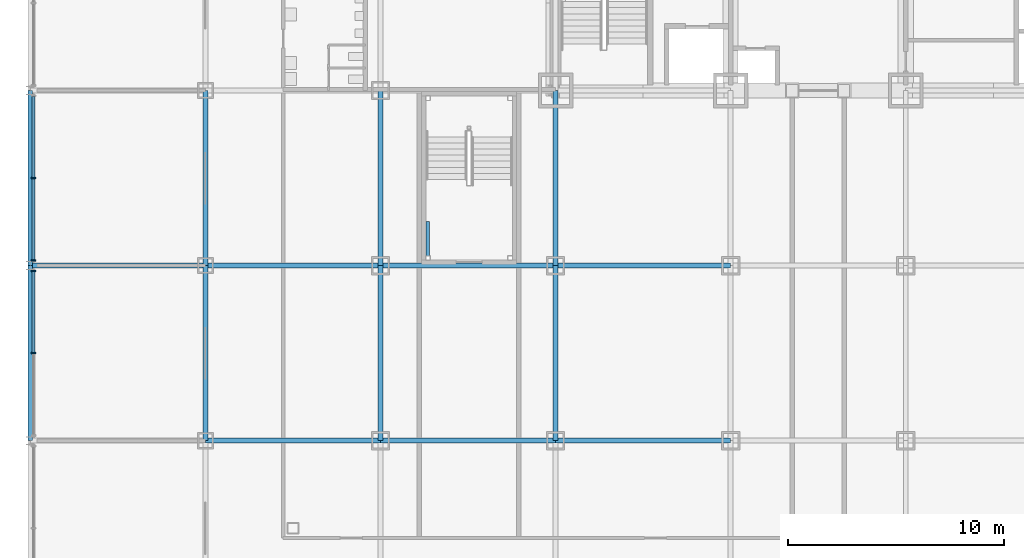
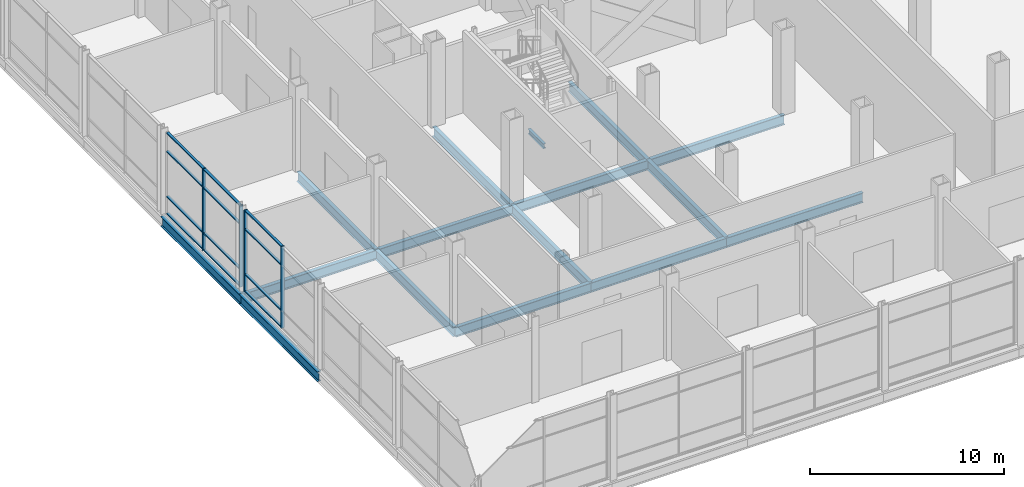
# One storey, part 11 of 30: 16 beams, 16 members, 2 elements without a shape of their own.
"""IFC4 building model written with IfcOpenShell, lengths in metres."""

import ifcopenshell
import ifcopenshell.guid

model = None  # the IFC model being written
_history = None  # IfcOwnerHistory: only IFC2X3 demands one
_inside = {}  # id of a spatial element -> (the spatial element, [elements in it])
_under = {}  # id of a project, library or spatial element -> (it, [spatial elements below it])
_declared = {}  # id of a project -> (the project, [libraries it declares])
_typed = {}  # id of a type object -> (the type object, [elements of that type])
_made_of = {}  # id of a material, layer set ... -> (it, [elements and type objects made of it])


def new_model(schema):
    """Start an empty IFC model of exactly this schema.

    Asked for "IFC4X3", IfcOpenShell would pick the latest addendum, in which some entities
    have other attributes; the version numbers below select the first issue.
    IFC2X3 requires an IfcOwnerHistory on every rooted entity: one is made here for all.
    """
    global model, _history
    if schema == "IFC4X3":
        model = ifcopenshell.file(schema_version=(4, 3, 0, 0))
    else:
        model = ifcopenshell.file(schema=schema)
    _inside.clear()
    _under.clear()
    _declared.clear()
    _typed.clear()
    _made_of.clear()
    _history = None
    if model.schema == "IFC2X3":
        org = make("IfcOrganization", Name="unknown")
        user = make(
            "IfcPersonAndOrganization",
            ThePerson=make("IfcPerson", FamilyName="unknown"),
            TheOrganization=org,
        )
        app = make(
            "IfcApplication",
            ApplicationDeveloper=org,
            Version="unknown",
            ApplicationFullName="unknown",
            ApplicationIdentifier="unknown",
        )
        _history = make(
            "IfcOwnerHistory",
            OwningUser=user,
            OwningApplication=app,
            ChangeAction="ADDED",
            CreationDate=0,
        )
    return model


def make(cls, **values):
    """One entity of the class cls with the attributes given. An attribute that is None is left unset."""
    return model.create_entity(
        cls, **{name: value for name, value in values.items() if value is not None}
    )


def rooted(cls, **values):
    """An entity with a GlobalId (a new one), such as an element, a storey or a relation."""
    return make(cls, GlobalId=ifcopenshell.guid.new(), OwnerHistory=_history, **values)


def si_unit(unit_type, name, prefix=None):
    """IfcSIUnit, for example si_unit("LENGTHUNIT", "METRE", prefix="MILLI")."""
    return make("IfcSIUnit", UnitType=unit_type, Prefix=prefix, Name=name)


def assignment(units):
    """IfcUnitAssignment: the units of a project."""
    return None if units is None else make("IfcUnitAssignment", Units=units)


def point(xyz):
    """IfcCartesianPoint."""
    return None if xyz is None else make("IfcCartesianPoint", Coordinates=xyz)


def direction(xyz):
    """IfcDirection."""
    return None if xyz is None else make("IfcDirection", DirectionRatios=xyz)


def frame(location, z_axis=None, x_axis=None):
    """IfcAxis2Placement3D, a coordinate frame: its origin and axes. An axis left out is left unset."""
    return make(
        "IfcAxis2Placement3D",
        Location=point(location),
        Axis=direction(z_axis),
        RefDirection=direction(x_axis),
    )


def frame_2d(location, x_axis=None):
    """IfcAxis2Placement2D, a coordinate frame in the plane: its origin and x axis."""
    return make(
        "IfcAxis2Placement2D", Location=point(location), RefDirection=direction(x_axis)
    )


def origin():
    """The frame at (0, 0, 0) with its axes left unset."""
    return frame((0.0, 0.0, 0.0))


def origin_2d():
    """The frame at (0, 0) in the plane with its x axis left unset."""
    return frame_2d((0.0, 0.0))


def place(relative_to, where):
    """IfcLocalPlacement: puts the frame where relative to a parent placement (None: the world)."""
    return make(
        "IfcLocalPlacement", PlacementRelTo=relative_to, RelativePlacement=where
    )


def context(
    kind, dimensions, precision=None, world=None, true_north=None, identifier=None
):
    """IfcGeometricRepresentationContext, for example the 3D "Model" context."""
    return make(
        "IfcGeometricRepresentationContext",
        ContextIdentifier=identifier,
        ContextType=kind,
        CoordinateSpaceDimension=dimensions,
        Precision=precision,
        WorldCoordinateSystem=world,
        TrueNorth=true_north,
    )


def subcontext(parent, identifier, kind, view, scale=None):
    """IfcGeometricRepresentationSubContext, for example "Body" below "Model"."""
    return make(
        "IfcGeometricRepresentationSubContext",
        ContextIdentifier=identifier,
        ContextType=kind,
        ParentContext=parent,
        TargetScale=scale,
        TargetView=view,
    )


def project(units=None, contexts=None):
    """IfcProject with its units and contexts."""
    return rooted(
        "IfcProject",
        Name="project",
        RepresentationContexts=contexts,
        UnitsInContext=assignment(units),
    )


def spatial(cls, under=None, at=None, **own):
    """A site, building, storey or space (cls), placed at a placement, below another one or the project."""
    s = rooted(cls, ObjectPlacement=at, **own)
    if under is not None:
        _under.setdefault(under.id(), (under, []))[1].append(s)
    return s


def profile(cls, at=None, kind="AREA", **sizes):
    """A parametric profile (cls). Its sizes go by their IFC names, for example OverallWidth=200.0."""
    return make(cls, ProfileType=kind, Position=at, **sizes)


def rectangle(**sizes):
    """IfcRectangleProfileDef."""
    return profile("IfcRectangleProfileDef", **sizes)


def i_section(**sizes):
    """IfcIShapeProfileDef."""
    return profile("IfcIShapeProfileDef", **sizes)


def extrude(swept, where, along, depth):
    """IfcExtrudedAreaSolid: the profile swept, set in the frame where, extruded along a direction by depth."""
    return make(
        "IfcExtrudedAreaSolid",
        SweptArea=swept,
        Position=where,
        ExtrudedDirection=direction(along),
        Depth=depth,
    )


def shape(context_of_items, identifier, shape_type, items):
    """IfcShapeRepresentation: the items that make up one representation, for example the "Body"."""
    return make(
        "IfcShapeRepresentation",
        ContextOfItems=context_of_items,
        RepresentationIdentifier=identifier,
        RepresentationType=shape_type,
        Items=items,
    )


def material(Name=None, Category=None):
    """IfcMaterial."""
    return make("IfcMaterial", Name=Name, Category=Category)


def material_profile(
    of_material, cross_section, Name=None, Category=None, Priority=None
):
    """IfcMaterialProfile: a cross section and its material."""
    return make(
        "IfcMaterialProfile",
        Name=Name,
        Material=of_material,
        Profile=cross_section,
        Priority=Priority,
        Category=Category,
    )


def profile_set(profiles, Name=None, composite=None):
    """IfcMaterialProfileSet."""
    return make(
        "IfcMaterialProfileSet",
        Name=Name,
        MaterialProfiles=profiles,
        CompositeProfile=composite,
    )


def made_of(thing, what):
    """Note that an element or type object is made of a material, layer set ...; save() writes the relation."""
    if what is not None:
        _made_of.setdefault(what.id(), (what, []))[1].append(thing)
    return thing


def type_object(cls, material=None, **own):
    """A type object (cls), such as IfcWallType, which elements share."""
    return made_of(rooted(cls, **own), material)


def element(
    cls,
    number,
    at=None,
    inside=None,
    cuts=None,
    type_object=None,
    material=None,
    context=None,
    identifier="Body",
    shape_type=None,
    held_by="IfcProductDefinitionShape",
    body=None,
    shapes=None,
    **own,
):
    """One element of the class cls, such as IfcWall. Its Tag is "e" and its number.

    at: its placement. inside: the storey or other place that contains it. cuts: it is an
    opening in that element (IfcRelVoidsElement). A single representation is given by context,
    identifier, shape_type and body (its items); several are given by shapes. held_by: the class
    of the entity that holds the representations. save() writes the other relations.
    """
    e = rooted(cls, Tag="e%d" % number, ObjectPlacement=at, **own)
    if body is not None:
        shapes = [shape(context, identifier, shape_type, body)]
    if shapes is not None:
        e.Representation = make(held_by, Representations=shapes)
    if inside is not None:
        _inside.setdefault(inside.id(), (inside, []))[1].append(e)
    if cuts is not None:
        rooted(
            "IfcRelVoidsElement", RelatingBuildingElement=cuts, RelatedOpeningElement=e
        )
    if type_object is not None:
        _typed.setdefault(type_object.id(), (type_object, []))[1].append(e)
    return made_of(e, material)


def aggregate(whole, parts):
    """IfcRelAggregates: a whole, such as a stair, and the parts it consists of."""
    return rooted("IfcRelAggregates", RelatingObject=whole, RelatedObjects=parts)


def save(model, path):
    """Write the relations noted so far, then the file.

    IfcRelAggregates (storeys below a building ...), IfcRelContainedInSpatialStructure (elements
    in a storey), IfcRelDefinesByType, IfcRelAssociatesMaterial and IfcRelDeclares: one each for
    every whole, place, type object, material and project.
    """
    for whole, parts in _under.values():
        aggregate(whole, parts)
    for where, things in _inside.values():
        rooted(
            "IfcRelContainedInSpatialStructure",
            RelatedElements=things,
            RelatingStructure=where,
        )
    for kind, things in _typed.values():
        rooted("IfcRelDefinesByType", RelatedObjects=things, RelatingType=kind)
    for what, things in _made_of.values():
        rooted("IfcRelAssociatesMaterial", RelatedObjects=things, RelatingMaterial=what)
    for by, libraries in _declared.values():
        rooted("IfcRelDeclares", RelatingContext=by, RelatedDefinitions=libraries)
    model.write(path)


model = new_model("IFC4")

# Units and contexts
model_context = context("Model", 3, precision=1e-05, world=origin(), true_north=direction((0.0, 1.0)))
body_context = subcontext(model_context, "Body", "Model", "MODEL_VIEW")
ifc_project = project(units=[si_unit("LENGTHUNIT", "METRE"), si_unit("AREAUNIT", "SQUARE_METRE"), si_unit("VOLUMEUNIT", "CUBIC_METRE"), si_unit("PLANEANGLEUNIT", "RADIAN"), si_unit("MASSUNIT", "GRAM", prefix="KILO")], contexts=[model_context])

# Site, building, storey
site_placement = place(None, origin())
site = spatial("IfcSite", under=ifc_project, at=site_placement, CompositionType="ELEMENT")
building_placement = place(site_placement, origin())
building = spatial("IfcBuilding", under=site, at=building_placement, Name="Kopane Lantern Tower", CompositionType="ELEMENT")
storey_placement = place(building_placement, frame((0.0, 0.0, 6.0)))
storey = spatial("IfcBuildingStorey", under=building, at=storey_placement, Name="L01", CompositionType="ELEMENT", Elevation=6.0)

# Beams
ifc_material_1 = material(Name="Steel S355JR", Category="steel")
ifc_material_profile_1 = material_profile(ifc_material_1, i_section(OverallWidth=0.22900390625, OverallDepth=0.6123046875, WebThickness=0.011962890625, FlangeThickness=0.01953125, FilletRadius=0.0126953125, at=origin_2d()), Name="UB 610x229x125")
ifc_profile_set_1 = profile_set([ifc_material_profile_1], Name="Steel S355JR")
beam_type_1 = type_object("IfcBeamType", Name="GIRDER UB 610x229x125", PredefinedType="BEAM", material=ifc_profile_set_1)
beam_1_placement = place(storey_placement, frame((-8.10009765625, 8.10009765625, -0.55615234375), z_axis=(0.0, 1.0, 0.0), x_axis=(-1.0, 0.0, 0.0)))
element("IfcBeam", 1, at=beam_1_placement, inside=storey, type_object=beam_type_1, Name="Girder L01", PredefinedType="BEAM", context=body_context, shape_type="SweptSolid", body=[
    extrude(i_section(OverallWidth=0.22900390625, OverallDepth=0.6123046875, WebThickness=0.011962890625, FlangeThickness=0.01953125, FilletRadius=0.0126953125, at=origin_2d()), origin(), (0.0, 0.0, 1.0), 8.099853515625),
])
for number, where, z_axis, x_axis, name in (
    (2, (-8.10009765625, 16.199951171875, -0.55615234375), (0.0, 1.0, 0.0), (-1.0, 0.0, 0.0), "Girder L01"),
    (3, (-8.10009765625, 16.199951171875, -0.55615234375), (1.0, 0.0, 0.0), (0.0, 1.0, 0.0), "Girder L01"),
):
    element("IfcBeam", number, at=place(storey_placement, frame(where, z_axis=z_axis, x_axis=x_axis)), inside=storey, type_object=beam_type_1, Name=name, PredefinedType="BEAM", context=body_context, shape_type="SweptSolid", body=[
        extrude(i_section(OverallWidth=0.22900390625, OverallDepth=0.6123046875, WebThickness=0.011962890625, FlangeThickness=0.01953125, FilletRadius=0.0126953125, at=origin_2d()), origin(), (0.0, 0.0, 1.0), 8.10009765625),
    ])
beam_2_placement = place(storey_placement, frame((0.0, 8.10009765625, -0.55615234375), z_axis=(0.0, 1.0, 0.0), x_axis=(-1.0, 0.0, 0.0)))
element("IfcBeam", 4, at=beam_2_placement, inside=storey, type_object=beam_type_1, Name="Girder L01", PredefinedType="BEAM", context=body_context, shape_type="SweptSolid", body=[
    extrude(i_section(OverallWidth=0.22900390625, OverallDepth=0.6123046875, WebThickness=0.011962890625, FlangeThickness=0.01953125, FilletRadius=0.0126953125, at=origin_2d()), origin(), (0.0, 0.0, 1.0), 8.099853515625),
])
for number, where, z_axis, x_axis, name in (
    (5, (0.0, 8.10009765625, -0.55615234375), (1.0, 0.0, 0.0), (0.0, 1.0, 0.0), "Girder L01"),
    (6, (0.0, 16.199951171875, -0.55615234375), (0.0, 1.0, 0.0), (-1.0, 0.0, 0.0), "Girder L01"),
    (7, (0.0, 16.199951171875, -0.55615234375), (1.0, 0.0, 0.0), (0.0, 1.0, 0.0), "Girder L01"),
):
    element("IfcBeam", number, at=place(storey_placement, frame(where, z_axis=z_axis, x_axis=x_axis)), inside=storey, type_object=beam_type_1, Name=name, PredefinedType="BEAM", context=body_context, shape_type="SweptSolid", body=[
        extrude(i_section(OverallWidth=0.22900390625, OverallDepth=0.6123046875, WebThickness=0.011962890625, FlangeThickness=0.01953125, FilletRadius=0.0126953125, at=origin_2d()), origin(), (0.0, 0.0, 1.0), 8.10009765625),
    ])
for number, where, z_axis, x_axis, name in (
    (8, (8.10009765625, 8.10009765625, -0.55615234375), (0.0, 1.0, 0.0), (-1.0, 0.0, 0.0), "Girder L01"),
    (9, (8.10009765625, 8.10009765625, -0.55615234375), (1.0, 0.0, 0.0), (0.0, 1.0, 0.0), "Girder L01"),
):
    element("IfcBeam", number, at=place(storey_placement, frame(where, z_axis=z_axis, x_axis=x_axis)), inside=storey, type_object=beam_type_1, Name=name, PredefinedType="BEAM", context=body_context, shape_type="SweptSolid", body=[
        extrude(i_section(OverallWidth=0.22900390625, OverallDepth=0.6123046875, WebThickness=0.011962890625, FlangeThickness=0.01953125, FilletRadius=0.0126953125, at=origin_2d()), origin(), (0.0, 0.0, 1.0), 8.099853515625),
    ])
beam_3_placement = place(storey_placement, frame((8.10009765625, 16.199951171875, -0.55615234375), z_axis=(0.0, 1.0, 0.0), x_axis=(-1.0, 0.0, 0.0)))
element("IfcBeam", 10, at=beam_3_placement, inside=storey, type_object=beam_type_1, Name="Girder L01", PredefinedType="BEAM", context=body_context, shape_type="SweptSolid", body=[
    extrude(i_section(OverallWidth=0.22900390625, OverallDepth=0.6123046875, WebThickness=0.011962890625, FlangeThickness=0.01953125, FilletRadius=0.0126953125, at=origin_2d()), origin(), (0.0, 0.0, 1.0), 8.10009765625),
])
for number, where, z_axis, x_axis, name in (
    (11, (8.10009765625, 16.199951171875, -0.55615234375), (1.0, 0.0, 0.0), (0.0, 1.0, 0.0), "Girder L01"),
    (12, (16.199951171875, 8.10009765625, -0.55615234375), (0.0, 1.0, 0.0), (-1.0, 0.0, 0.0), "Girder L01"),
):
    element("IfcBeam", number, at=place(storey_placement, frame(where, z_axis=z_axis, x_axis=x_axis)), inside=storey, type_object=beam_type_1, Name=name, PredefinedType="BEAM", context=body_context, shape_type="SweptSolid", body=[
        extrude(i_section(OverallWidth=0.22900390625, OverallDepth=0.6123046875, WebThickness=0.011962890625, FlangeThickness=0.01953125, FilletRadius=0.0126953125, at=origin_2d()), origin(), (0.0, 0.0, 1.0), 8.099853515625),
    ])
for number, where, z_axis, x_axis, name in (
    (13, (16.199951171875, 8.10009765625, -0.55615234375), (1.0, 0.0, 0.0), (0.0, 1.0, 0.0), "Girder L01"),
    (14, (16.199951171875, 16.199951171875, -0.55615234375), (0.0, 1.0, 0.0), (-1.0, 0.0, 0.0), "Girder L01"),
    (15, (16.199951171875, 16.199951171875, -0.55615234375), (1.0, 0.0, 0.0), (0.0, 1.0, 0.0), "Girder L01"),
):
    element("IfcBeam", number, at=place(storey_placement, frame(where, z_axis=z_axis, x_axis=x_axis)), inside=storey, type_object=beam_type_1, Name=name, PredefinedType="BEAM", context=body_context, shape_type="SweptSolid", body=[
        extrude(i_section(OverallWidth=0.22900390625, OverallDepth=0.6123046875, WebThickness=0.011962890625, FlangeThickness=0.01953125, FilletRadius=0.0126953125, at=origin_2d()), origin(), (0.0, 0.0, 1.0), 8.10009765625),
    ])

# Curtain wall, members
ifc_material_2 = material(Name="Aluminium and clear glass", Category="aluminium")
curtain_wall_type = type_object("IfcCurtainWallType", Name="CURTAIN WALL CW1 PODIUM STOREFRONT", PredefinedType="USERDEFINED", material=ifc_material_2)
curtain_wall_1_placement = place(storey_placement, origin())
curtain_wall_1 = element("IfcCurtainWall", 16, at=curtain_wall_1_placement, inside=storey, type_object=curtain_wall_type, Name="Curtain wall CW1 W L01", ObjectType="CURTAIN WALL", PredefinedType="USERDEFINED")
ifc_material_3 = material(Name="Aluminium", Category="aluminium")
ifc_material_profile_2 = material_profile(ifc_material_3, rectangle(XDim=0.06494140625, YDim=0.199951171875, at=origin_2d()), Name="AL 65x200")
ifc_profile_set_2 = profile_set([ifc_material_profile_2], Name="Aluminium")
member_type_1 = type_object("IfcMemberType", Name="MULLION CW1-M 65x200", PredefinedType="MULLION", material=ifc_profile_set_2)
member_1_placement = place(storey_placement, frame((-7.949951171875, 20.25, 0.0), z_axis=(0.0, 0.0, 1.0), x_axis=(0.0, -1.0, 0.0)))
member_1 = element("IfcMember", 17, at=member_1_placement, type_object=member_type_1, Name="CW1 mullion 2", PredefinedType="MULLION", context=body_context, shape_type="SweptSolid", body=[
    extrude(rectangle(XDim=0.06494140625, YDim=0.199951171875, at=origin_2d()), origin(), (0.0, 0.0, 1.0), 5.14990234375),
])
member_2_placement = place(storey_placement, frame((-7.949951171875, 16.440673828125, 0.0), z_axis=(0.0, 0.0, 1.0), x_axis=(0.0, -1.0, 0.0)))
member_2 = element("IfcMember", 18, at=member_2_placement, type_object=member_type_1, Name="CW1 mullion 3", PredefinedType="MULLION", context=body_context, shape_type="SweptSolid", body=[
    extrude(rectangle(XDim=0.06494140625, YDim=0.199951171875, at=origin_2d()), origin(), (0.0, 0.0, 1.0), 5.14990234375),
])

curtain_wall_2_placement = place(storey_placement, origin())
curtain_wall_2 = element("IfcCurtainWall", 19, at=curtain_wall_2_placement, inside=storey, type_object=curtain_wall_type, Name="Curtain wall CW1 W L01", ObjectType="CURTAIN WALL", PredefinedType="USERDEFINED")
member_3_placement = place(storey_placement, frame((-7.949951171875, 15.959228515625, 0.0), z_axis=(0.0, 0.0, 1.0), x_axis=(0.0, -1.0, 0.0)))
member_3 = element("IfcMember", 20, at=member_3_placement, type_object=member_type_1, Name="CW1 mullion 1", PredefinedType="MULLION", context=body_context, shape_type="SweptSolid", body=[
    extrude(rectangle(XDim=0.06494140625, YDim=0.199951171875, at=origin_2d()), origin(), (0.0, 0.0, 1.0), 5.14990234375),
])
member_4_placement = place(storey_placement, frame((-7.949951171875, 12.14990234375, 0.0), z_axis=(0.0, 0.0, 1.0), x_axis=(0.0, -1.0, 0.0)))
member_4 = element("IfcMember", 21, at=member_4_placement, type_object=member_type_1, Name="CW1 mullion 2", PredefinedType="MULLION", context=body_context, shape_type="SweptSolid", body=[
    extrude(rectangle(XDim=0.06494140625, YDim=0.199951171875, at=origin_2d()), origin(), (0.0, 0.0, 1.0), 5.14990234375),
])

# Beam
ifc_material_4 = material(Name="Steel S355JR", Category="steel")
ifc_material_profile_3 = material_profile(ifc_material_4, i_section(OverallWidth=0.1650390625, OverallDepth=0.303466796875, WebThickness=0.006103515625, FlangeThickness=0.01025390625, FilletRadius=0.0087890625, at=origin_2d()), Name="UB 305x165x40")
ifc_profile_set_3 = profile_set([ifc_material_profile_3], Name="Steel S355JR")
beam_type_2 = type_object("IfcBeamType", Name="STAIR LANDING BEAM UB 305x165x40", PredefinedType="BEAM", material=ifc_profile_set_3)
beam_4_placement = place(storey_placement, frame((10.282470703125, 16.64990234375, 2.348388671875), z_axis=(0.0, 1.0, 0.0), x_axis=(-1.0, 0.0, 0.0)))
element("IfcBeam", 22, at=beam_4_placement, inside=storey, type_object=beam_type_2, Name="Stair landing beam ST3 L01", PredefinedType="BEAM", context=body_context, shape_type="SweptSolid", body=[
    extrude(i_section(OverallWidth=0.1650390625, OverallDepth=0.303466796875, WebThickness=0.006103515625, FlangeThickness=0.01025390625, FilletRadius=0.0087890625, at=origin_2d()), origin(), (0.0, 0.0, 1.0), 1.60009765625),
])

# Member
ifc_material_5 = material(Name="Aluminium", Category="aluminium")
ifc_material_profile_4 = material_profile(ifc_material_5, rectangle(XDim=0.14990234375, YDim=0.06494140625, at=origin_2d()), Name="AL 150x65")
ifc_profile_set_4 = profile_set([ifc_material_profile_4], Name="Aluminium")
member_type_2 = type_object("IfcMemberType", Name="TRANSOM CW1-T 65x150", PredefinedType="USERDEFINED", material=ifc_profile_set_4)
member_5_placement = place(storey_placement, frame((-7.949951171875, 24.02685546875, 0.032470703125), z_axis=(0.0, -1.0, 0.0), x_axis=(1.0, 0.0, 0.0)))
member_5 = element("IfcMember", 23, at=member_5_placement, type_object=member_type_2, Name="CW1 transom 1.1", ObjectType="TRANSOM", PredefinedType="USERDEFINED", context=body_context, shape_type="SweptSolid", body=[
    extrude(rectangle(XDim=0.14990234375, YDim=0.06494140625, at=origin_2d()), origin(), (0.0, 0.0, 1.0), 3.744384765625),
])

member_6_placement = place(storey_placement, frame((-7.949951171875, 24.02685546875, 1.10009765625), z_axis=(0.0, -1.0, 0.0), x_axis=(1.0, 0.0, 0.0)))
member_6 = element("IfcMember", 24, at=member_6_placement, type_object=member_type_2, Name="CW1 transom 1.2", ObjectType="TRANSOM", PredefinedType="USERDEFINED", context=body_context, shape_type="SweptSolid", body=[
    extrude(rectangle(XDim=0.14990234375, YDim=0.06494140625, at=origin_2d()), origin(), (0.0, 0.0, 1.0), 3.744384765625),
])

member_7_placement = place(storey_placement, frame((-7.949951171875, 24.02685546875, 3.949951171875), z_axis=(0.0, -1.0, 0.0), x_axis=(1.0, 0.0, 0.0)))
member_7 = element("IfcMember", 25, at=member_7_placement, type_object=member_type_2, Name="CW1 transom 1.3", ObjectType="TRANSOM", PredefinedType="USERDEFINED", context=body_context, shape_type="SweptSolid", body=[
    extrude(rectangle(XDim=0.14990234375, YDim=0.06494140625, at=origin_2d()), origin(), (0.0, 0.0, 1.0), 3.744384765625),
])

member_8_placement = place(storey_placement, frame((-7.949951171875, 24.02685546875, 5.117431640625), z_axis=(0.0, -1.0, 0.0), x_axis=(1.0, 0.0, 0.0)))
member_8 = element("IfcMember", 26, at=member_8_placement, type_object=member_type_2, Name="CW1 transom 1.4", ObjectType="TRANSOM", PredefinedType="USERDEFINED", context=body_context, shape_type="SweptSolid", body=[
    extrude(rectangle(XDim=0.14990234375, YDim=0.06494140625, at=origin_2d()), origin(), (0.0, 0.0, 1.0), 3.744384765625),
])

member_9_placement = place(storey_placement, frame((-7.949951171875, 20.217529296875, 0.032470703125), z_axis=(0.0, -1.0, 0.0), x_axis=(1.0, 0.0, 0.0)))
member_9 = element("IfcMember", 27, at=member_9_placement, type_object=member_type_2, Name="CW1 transom 2.1", ObjectType="TRANSOM", PredefinedType="USERDEFINED", context=body_context, shape_type="SweptSolid", body=[
    extrude(rectangle(XDim=0.14990234375, YDim=0.06494140625, at=origin_2d()), origin(), (0.0, 0.0, 1.0), 3.744384765625),
])

member_10_placement = place(storey_placement, frame((-7.949951171875, 20.217529296875, 1.10009765625), z_axis=(0.0, -1.0, 0.0), x_axis=(1.0, 0.0, 0.0)))
member_10 = element("IfcMember", 28, at=member_10_placement, type_object=member_type_2, Name="CW1 transom 2.2", ObjectType="TRANSOM", PredefinedType="USERDEFINED", context=body_context, shape_type="SweptSolid", body=[
    extrude(rectangle(XDim=0.14990234375, YDim=0.06494140625, at=origin_2d()), origin(), (0.0, 0.0, 1.0), 3.744384765625),
])

member_11_placement = place(storey_placement, frame((-7.949951171875, 20.217529296875, 3.949951171875), z_axis=(0.0, -1.0, 0.0), x_axis=(1.0, 0.0, 0.0)))
member_11 = element("IfcMember", 29, at=member_11_placement, type_object=member_type_2, Name="CW1 transom 2.3", ObjectType="TRANSOM", PredefinedType="USERDEFINED", context=body_context, shape_type="SweptSolid", body=[
    extrude(rectangle(XDim=0.14990234375, YDim=0.06494140625, at=origin_2d()), origin(), (0.0, 0.0, 1.0), 3.744384765625),
])

member_12_placement = place(storey_placement, frame((-7.949951171875, 20.217529296875, 5.117431640625), z_axis=(0.0, -1.0, 0.0), x_axis=(1.0, 0.0, 0.0)))
member_12 = element("IfcMember", 30, at=member_12_placement, type_object=member_type_2, Name="CW1 transom 2.4", ObjectType="TRANSOM", PredefinedType="USERDEFINED", context=body_context, shape_type="SweptSolid", body=[
    extrude(rectangle(XDim=0.14990234375, YDim=0.06494140625, at=origin_2d()), origin(), (0.0, 0.0, 1.0), 3.744384765625),
])

aggregate(curtain_wall_1, [member_1, member_2, member_5, member_6, member_7, member_8, member_9, member_10, member_11, member_12])

member_13_placement = place(storey_placement, frame((-7.949951171875, 15.9267578125, 0.032470703125), z_axis=(0.0, -1.0, 0.0), x_axis=(1.0, 0.0, 0.0)))
member_13 = element("IfcMember", 31, at=member_13_placement, type_object=member_type_2, Name="CW1 transom 1.1", ObjectType="TRANSOM", PredefinedType="USERDEFINED", context=body_context, shape_type="SweptSolid", body=[
    extrude(rectangle(XDim=0.14990234375, YDim=0.06494140625, at=origin_2d()), origin(), (0.0, 0.0, 1.0), 3.744140625),
])

member_14_placement = place(storey_placement, frame((-7.949951171875, 15.9267578125, 1.10009765625), z_axis=(0.0, -1.0, 0.0), x_axis=(1.0, 0.0, 0.0)))
member_14 = element("IfcMember", 32, at=member_14_placement, type_object=member_type_2, Name="CW1 transom 1.2", ObjectType="TRANSOM", PredefinedType="USERDEFINED", context=body_context, shape_type="SweptSolid", body=[
    extrude(rectangle(XDim=0.14990234375, YDim=0.06494140625, at=origin_2d()), origin(), (0.0, 0.0, 1.0), 3.744140625),
])

member_15_placement = place(storey_placement, frame((-7.949951171875, 15.9267578125, 3.949951171875), z_axis=(0.0, -1.0, 0.0), x_axis=(1.0, 0.0, 0.0)))
member_15 = element("IfcMember", 33, at=member_15_placement, type_object=member_type_2, Name="CW1 transom 1.3", ObjectType="TRANSOM", PredefinedType="USERDEFINED", context=body_context, shape_type="SweptSolid", body=[
    extrude(rectangle(XDim=0.14990234375, YDim=0.06494140625, at=origin_2d()), origin(), (0.0, 0.0, 1.0), 3.744140625),
])

member_16_placement = place(storey_placement, frame((-7.949951171875, 15.9267578125, 5.117431640625), z_axis=(0.0, -1.0, 0.0), x_axis=(1.0, 0.0, 0.0)))
member_16 = element("IfcMember", 34, at=member_16_placement, type_object=member_type_2, Name="CW1 transom 1.4", ObjectType="TRANSOM", PredefinedType="USERDEFINED", context=body_context, shape_type="SweptSolid", body=[
    extrude(rectangle(XDim=0.14990234375, YDim=0.06494140625, at=origin_2d()), origin(), (0.0, 0.0, 1.0), 3.744140625),
])

aggregate(curtain_wall_2, [member_3, member_4, member_13, member_14, member_15, member_16])

save(model, "model.ifc")
